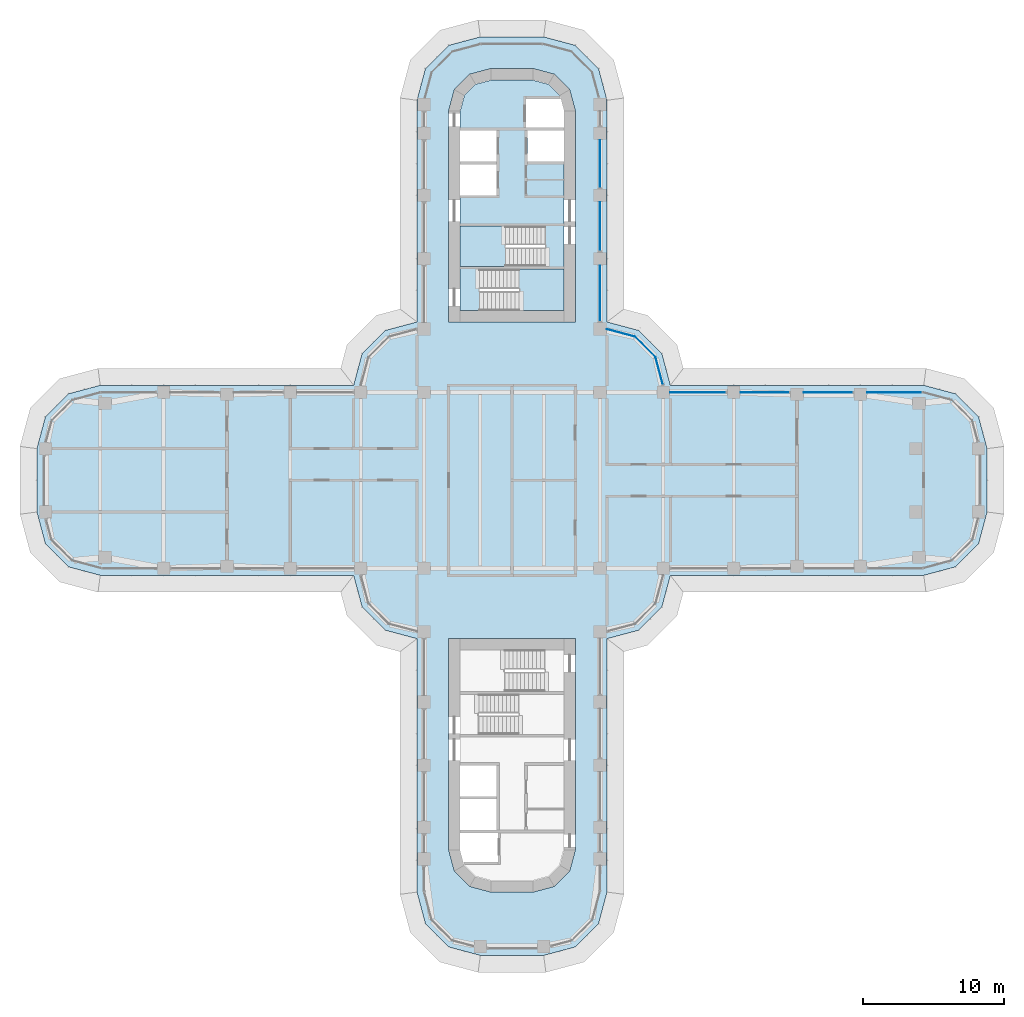
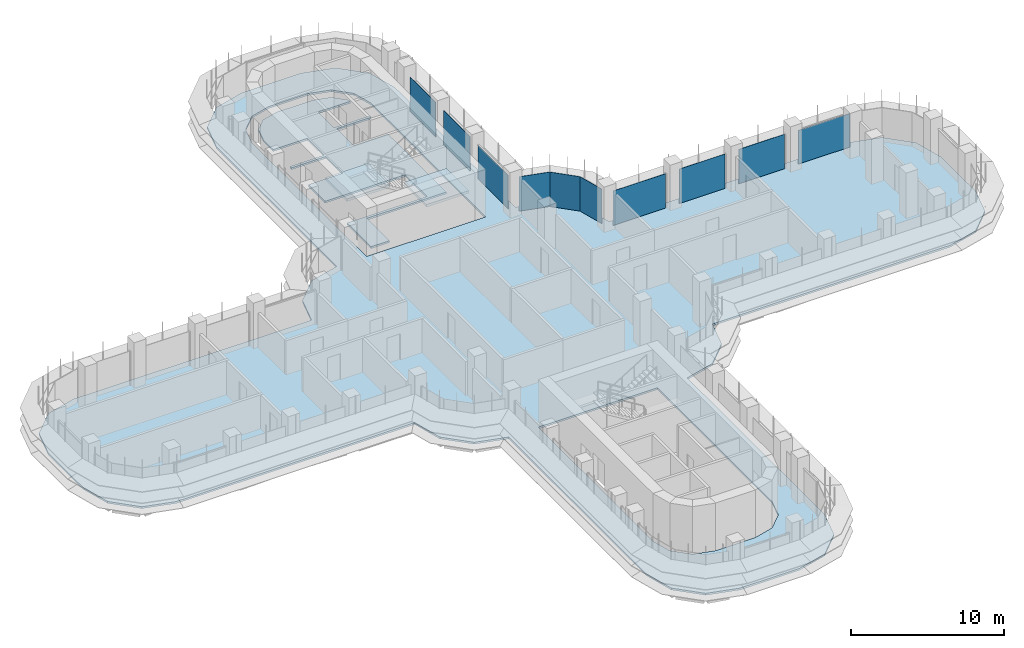
# One storey, part 14 of 22: 10 plates, 4 slabs, 7 elements without a shape of their own.
"""IFC4 building model written with IfcOpenShell, lengths in metres."""

from ifc_helpers import new_model, si_unit, direction, frame, origin, place, context, subcontext, project, spatial, polyline, outline, extrude, source, transform, mapped, material, layer, layer_set, type_object, element, aggregate, save


model = new_model("IFC4")

# Units and contexts
model_context = context("Model", 3, precision=1e-05, world=origin(), true_north=direction((0.0, 1.0)))
body_context = subcontext(model_context, "Body", "Model", "MODEL_VIEW")
ifc_project = project(units=[si_unit("LENGTHUNIT", "METRE"), si_unit("AREAUNIT", "SQUARE_METRE"), si_unit("VOLUMEUNIT", "CUBIC_METRE"), si_unit("PLANEANGLEUNIT", "RADIAN"), si_unit("MASSUNIT", "GRAM", prefix="KILO")], contexts=[model_context])

# Site, building, storey
site_placement = place(None, origin())
site = spatial("IfcSite", under=ifc_project, at=site_placement, CompositionType="ELEMENT")
building_placement = place(site_placement, origin())
building = spatial("IfcBuilding", under=site, at=building_placement, Name="Zarbagh Exchange Tower", CompositionType="ELEMENT")
storey_placement = place(building_placement, frame((0.0, 0.0, 101.800048828125)))
storey = spatial("IfcBuildingStorey", under=building, at=storey_placement, Name="L23", CompositionType="ELEMENT", Elevation=101.800048828125)

# Slabs
ifc_material_1 = material(Name="Concrete C40/50", Category="concrete")
ifc_layer_1 = layer(ifc_material_1, 0.14990234375)
ifc_layer_set_1 = layer_set([ifc_layer_1], Name="Composite floor slab 150 C40/50")
slab_type_1 = type_object("IfcSlabType", Name="Composite floor slab 150 C40/50", PredefinedType="FLOOR", material=ifc_layer_set_1)
slab_1_placement = place(storey_placement, frame((0.0, 0.0, -0.150146484375)))
element("IfcSlab", 1, at=slab_1_placement, inside=storey, type_object=slab_type_1, Name="S5 composite floor slab", PredefinedType="FLOOR", context=body_context, shape_type="SweptSolid", body=[
    extrude(outline(polyline([(-2.25, -33.75), (-4.5, -33.147216796875), (-6.147216796875, -31.5), (-6.75, -29.25), (-6.75, -11.25), (-9.0, -10.647216796875), (-10.647216796875, -9.0), (-11.25, -6.75), (-29.25, -6.75), (-31.5, -6.147216796875), (-33.147216796875, -4.5), (-33.75, -2.25), (-33.75, 2.25), (-33.147216796875, 4.5), (-31.5, 6.147216796875), (-29.25, 6.75), (-11.25, 6.75), (-10.647216796875, 9.0), (-9.0, 10.647216796875), (-6.75, 11.25), (-6.75, 27.0), (-6.147216796875, 29.25), (-4.5, 30.897216796875), (-2.25, 31.5), (2.25, 31.5), (4.5, 30.897216796875), (6.147216796875, 29.25), (6.75, 27.0), (6.75, 11.25), (9.0, 10.647216796875), (10.647216796875, 9.0), (11.25, 6.75), (29.25, 6.75), (31.5, 6.147216796875), (33.147216796875, 4.5), (33.75, 2.25), (33.75, -2.25), (33.147216796875, -4.5), (31.5, -6.147216796875), (29.25, -6.75), (11.25, -6.75), (10.647216796875, -9.0), (9.0, -10.647216796875), (6.75, -11.25), (6.75, -29.25), (6.147216796875, -31.5), (4.5, -33.147216796875), (2.25, -33.75), (-2.25, -33.75)]), holes=[polyline([(4.5, 11.25), (4.5, 26.25), (4.09814453125, 27.75), (3.0, 28.84814453125), (1.5, 29.25), (-1.5, 29.25), (-3.0, 28.84814453125), (-4.09814453125, 27.75), (-4.5, 26.25), (-4.5, 11.25), (4.5, 11.25)]), polyline([(-1.5, -29.25), (1.5, -29.25), (3.0, -28.84814453125), (4.09814453125, -27.75), (4.5, -26.25), (4.5, -11.25), (-4.5, -11.25), (-4.5, -26.25), (-4.09814453125, -27.75), (-3.0, -28.84814453125), (-1.5, -29.25)])]), origin(), (0.0, 0.0, 1.0), 0.150146484375),
])
ifc_layer_2 = layer(ifc_material_1, 0.14990234375)
ifc_layer_set_2 = layer_set([ifc_layer_2], Name="Core floor slab 150 C40/50")
slab_type_2 = type_object("IfcSlabType", Name="Core floor slab 150 C40/50", PredefinedType="FLOOR", material=ifc_layer_set_2)
slab_2_placement = place(storey_placement, frame((0.0, 0.0, -0.150146484375)))
element("IfcSlab", 2, at=slab_2_placement, inside=storey, type_object=slab_type_2, Name="S17 core N", PredefinedType="FLOOR", context=body_context, shape_type="SweptSolid", body=[
    extrude(outline(polyline([(-3.699951171875, 12.050048828125), (-3.699951171875, 15.199951171875), (2.35009765625, 15.199951171875), (2.35009765625, 18.050048828125), (-3.699951171875, 18.050048828125), (-3.699951171875, 20.25), (-1.10009765625, 20.25), (-1.10009765625, 22.449951171875), (-3.699951171875, 22.449951171875), (-3.699951171875, 22.64990234375), (-1.10009765625, 22.64990234375), (-1.10009765625, 24.85009765625), (-3.699951171875, 24.85009765625), (-3.699951171875, 26.144775390625), (-3.380859375, 27.3359375), (-2.5859375, 28.130859375), (-1.394775390625, 28.449951171875), (1.394775390625, 28.449951171875), (2.5859375, 28.130859375), (3.380859375, 27.3359375), (3.646484375, 26.3447265625), (3.444091796875, 27.10009765625), (1.0, 27.10009765625), (1.0, 25.050048828125), (3.699951171875, 25.050048828125), (3.699951171875, 24.85009765625), (1.10009765625, 24.85009765625), (1.10009765625, 22.64990234375), (3.699951171875, 22.64990234375), (3.699951171875, 15.0), (-2.300048828125, 15.0), (-2.300048828125, 12.050048828125), (-3.699951171875, 12.050048828125)])), origin(), (0.0, 0.0, 1.0), 0.150146484375),
])

# Stair, slab
stair_type = type_object("IfcStairType", Name="Exit stair two-flight half-turn", PredefinedType="HALF_TURN_STAIR", material=ifc_material_1)
stair_1_placement = place(storey_placement, origin())
stair_1 = element("IfcStair", 3, at=stair_1_placement, inside=storey, type_object=stair_type, Name="exit stair ST1", PredefinedType="HALF_TURN_STAIR")
ifc_layer_3 = layer(ifc_material_1, 0.199951171875)
ifc_layer_set_3 = layer_set([ifc_layer_3], Name="Stair landing 200 mm")
slab_type_3 = type_object("IfcSlabType", Name="Stair landing 200 mm", PredefinedType="LANDING", material=ifc_layer_set_3)
slab_3_placement = place(storey_placement, frame((0.0, 0.0, 1.699951171875)))
slab_3 = element("IfcSlab", 4, at=slab_3_placement, type_object=slab_type_3, Name="ST1 landing 1", PredefinedType="LANDING", context=body_context, shape_type="SweptSolid", body=[
    extrude(outline(polyline([(-0.449951171875, 18.050048828125), (-3.699951171875, 18.050048828125), (-3.699951171875, 15.199951171875), (-0.449951171875, 15.199951171875), (-0.449951171875, 18.050048828125)])), origin(), (0.0, 0.0, 1.0), 0.199951171875),
])
aggregate(stair_1, [slab_3])

stair_2_placement = place(storey_placement, origin())
stair_2 = element("IfcStair", 5, at=stair_2_placement, inside=storey, type_object=stair_type, Name="exit stair ST2", PredefinedType="HALF_TURN_STAIR")
slab_4_placement = place(storey_placement, frame((0.0, 0.0, 1.699951171875)))
slab_4 = element("IfcSlab", 6, at=slab_4_placement, type_object=slab_type_3, Name="ST2 landing 1", PredefinedType="LANDING", context=body_context, shape_type="SweptSolid", body=[
    extrude(outline(polyline([(0.5, 12.050048828125), (3.699951171875, 12.050048828125), (3.699951171875, 15.0), (0.5, 15.0), (0.5, 12.050048828125)])), origin(), (0.0, 0.0, 1.0), 0.199951171875),
])
aggregate(stair_2, [slab_4])

# Curtain wall, plate
ifc_material_2 = material(Name="Anodised aluminium frame and glazing", Category="aluminium")
curtain_wall_type = type_object("IfcCurtainWallType", Name="CWA Ribbon glazing, lower zones", PredefinedType="NOTDEFINED", material=ifc_material_2)
curtain_wall_1_placement = place(storey_placement, origin())
curtain_wall_1 = element("IfcCurtainWall", 7, at=curtain_wall_1_placement, inside=storey, type_object=curtain_wall_type, Name="CWA18 curtain wall", PredefinedType="NOTDEFINED")
ifc_material_3 = material(Name="Low-e double glazed unit, 6+12+6 mm")
ifc_layer_4 = layer(ifc_material_3, 0.028076171875)
ifc_layer_set_4 = layer_set([ifc_layer_4], Name="PAA Glazing panel, Low-e double glazed unit, 6+12+6 mm")
plate_type = type_object("IfcPlateType", Name="PAA Glazing panel, Low-e double glazed unit, 6+12+6 mm", PredefinedType="CURTAIN_PANEL", material=ifc_layer_set_4)
shared_shape_1 = source(origin(), body_context, "Body", "SweptSolid", [
    extrude(outline(polyline([(0.0, -0.013916015625), (2.061279296875, -0.013916015625), (2.061279296875, 0.013916015625), (0.0, 0.013916015625), (0.0, -0.013916015625)])), origin(), (0.0, 0.0, 1.0), 2.75),
])
placement = place(storey_placement, origin())
plate_1 = element("IfcPlate", 8, at=placement, type_object=plate_type, Name="CWA18 glazing panel 1.1", PredefinedType="CURTAIN_PANEL", context=body_context, shape_type="MappedRepresentation", body=[
    mapped(shared_shape_1, transform((10.19873046875, 8.7412109375, 0.0), x_axis=(-0.707106781187, 0.707106781187, 0.0), y_axis=(-0.707106781187, -0.707106781187, 0.0), z_axis=(0.0, 0.0, 1.0))),
])
aggregate(curtain_wall_1, [plate_1])

curtain_wall_2_placement = place(storey_placement, origin())
curtain_wall_2 = element("IfcCurtainWall", 9, at=curtain_wall_2_placement, inside=storey, type_object=curtain_wall_type, Name="CWA49 curtain wall", PredefinedType="NOTDEFINED")
shared_shape_2 = source(origin(), body_context, "Body", "SweptSolid", [
    extrude(outline(polyline([(0.0, -0.013916015625), (3.360107421875, -0.013916015625), (3.360107421875, 0.013916015625), (0.0, 0.013916015625), (0.0, -0.013916015625)])), origin(), (0.0, 0.0, 1.0), 2.75),
])
plate_2 = element("IfcPlate", 10, at=placement, type_object=plate_type, Name="CWA49 glazing panel 3.1", PredefinedType="CURTAIN_PANEL", context=body_context, shape_type="MappedRepresentation", body=[
    mapped(shared_shape_2, transform((6.25, 20.800048828125, 0.0), x_axis=(0.0, 1.0, 0.0), y_axis=(-1.0, 0.0, 0.0), z_axis=(0.0, 0.0, 1.0))),
])

# Curtain wall, plates
curtain_wall_3_placement = place(storey_placement, origin())
curtain_wall_3 = element("IfcCurtainWall", 11, at=curtain_wall_3_placement, inside=storey, type_object=curtain_wall_type, Name="CWA16 curtain wall", PredefinedType="NOTDEFINED")
shared_shape_3 = source(origin(), body_context, "Body", "SweptSolid", [
    extrude(outline(polyline([(0.0, -0.013916015625), (3.4599609375, -0.013916015625), (3.4599609375, 0.013916015625), (0.0, 0.013916015625), (0.0, -0.013916015625)])), origin(), (0.0, 0.0, 1.0), 2.75),
])
plate_3 = element("IfcPlate", 12, at=placement, type_object=plate_type, Name="CWA16 glazing panel 2.1", PredefinedType="CURTAIN_PANEL", context=body_context, shape_type="MappedRepresentation", body=[
    mapped(shared_shape_3, transform((24.199951171875, 6.25, 0.0), x_axis=(-1.0, 0.0, 0.0), y_axis=(0.0, -1.0, 0.0), z_axis=(0.0, 0.0, 1.0))),
])
plate_4 = element("IfcPlate", 13, at=placement, type_object=plate_type, Name="CWA16 glazing panel 3.1", PredefinedType="CURTAIN_PANEL", context=body_context, shape_type="MappedRepresentation", body=[
    mapped(shared_shape_3, transform((19.699951171875, 6.25, 0.0), x_axis=(-1.0, 0.0, 0.0), y_axis=(0.0, -1.0, 0.0), z_axis=(0.0, 0.0, 1.0))),
])

# Plate
plate_5 = element("IfcPlate", 14, at=placement, type_object=plate_type, Name="CWA49 glazing panel 2.1", PredefinedType="CURTAIN_PANEL", context=body_context, shape_type="MappedRepresentation", body=[
    mapped(shared_shape_3, transform((6.25, 16.300048828125, 0.0), x_axis=(0.0, 1.0, 0.0), y_axis=(-1.0, 0.0, 0.0), z_axis=(0.0, 0.0, 1.0))),
])

shared_shape_4 = source(origin(), body_context, "Body", "SweptSolid", [
    extrude(outline(polyline([(0.0, -0.013916015625), (3.9599609375, -0.013916015625), (3.9599609375, 0.013916015625), (0.0, 0.013916015625), (0.0, -0.013916015625)])), origin(), (0.0, 0.0, 1.0), 2.75),
])
plate_6 = element("IfcPlate", 15, at=placement, type_object=plate_type, Name="CWA16 glazing panel 4.1", PredefinedType="CURTAIN_PANEL", context=body_context, shape_type="MappedRepresentation", body=[
    mapped(shared_shape_4, transform((15.199951171875, 6.25, 0.0), x_axis=(-1.0, 0.0, 0.0), y_axis=(0.0, -1.0, 0.0), z_axis=(0.0, 0.0, 1.0))),
])

# Curtain wall, plate
curtain_wall_4_placement = place(storey_placement, origin())
curtain_wall_4 = element("IfcCurtainWall", 16, at=curtain_wall_4_placement, inside=storey, type_object=curtain_wall_type, Name="CWA17 curtain wall", PredefinedType="NOTDEFINED")
shared_shape_5 = source(origin(), body_context, "Body", "SweptSolid", [
    extrude(outline(polyline([(0.0, -0.013916015625), (2.01171875, -0.013916015625), (2.01171875, 0.013916015625), (0.0, 0.013916015625), (0.0, -0.013916015625)])), origin(), (0.0, 0.0, 1.0), 2.75),
])
plate_7 = element("IfcPlate", 17, at=placement, type_object=plate_type, Name="CWA17 glazing panel 1.1", PredefinedType="CURTAIN_PANEL", context=body_context, shape_type="MappedRepresentation", body=[
    mapped(shared_shape_5, transform((10.719482421875, 6.7978515625, 0.0), x_axis=(-0.258824779902, 0.965924289636, 0.0), y_axis=(-0.965924289636, -0.258824779902, 0.0), z_axis=(0.0, 0.0, 1.0))),
])
aggregate(curtain_wall_4, [plate_7])

curtain_wall_5_placement = place(storey_placement, origin())
curtain_wall_5 = element("IfcCurtainWall", 18, at=curtain_wall_5_placement, inside=storey, type_object=curtain_wall_type, Name="CWA19 curtain wall", PredefinedType="NOTDEFINED")
shared_shape_6 = source(origin(), body_context, "Body", "SweptSolid", [
    extrude(outline(polyline([(0.0, -0.013916015625), (2.07177734375, -0.013916015625), (2.07177734375, 0.013916015625), (0.0, 0.013916015625), (0.0, -0.013916015625)])), origin(), (0.0, 0.0, 1.0), 2.75),
])
plate_8 = element("IfcPlate", 19, at=placement, type_object=plate_type, Name="CWA19 glazing panel 1.1", PredefinedType="CURTAIN_PANEL", context=body_context, shape_type="MappedRepresentation", body=[
    mapped(shared_shape_6, transform((8.7412109375, 10.19873046875, 0.0), x_axis=(-0.965924289636, 0.258824779902, 0.0), y_axis=(-0.258824779902, -0.965924289636, 0.0), z_axis=(0.0, 0.0, 1.0))),
])
aggregate(curtain_wall_5, [plate_8])

# Plate
shared_shape_7 = source(origin(), body_context, "Body", "SweptSolid", [
    extrude(outline(polyline([(0.0, -0.013916015625), (3.9599609375, -0.013916015625), (3.9599609375, 0.013916015625), (0.0, 0.013916015625), (0.0, -0.013916015625)])), origin(), (0.0, 0.0, 1.0), 2.68994140625),
])
plate_9 = element("IfcPlate", 20, at=placement, type_object=plate_type, Name="CWA49 glazing panel 1.1", PredefinedType="CURTAIN_PANEL", context=body_context, shape_type="MappedRepresentation", body=[
    mapped(shared_shape_7, transform((6.25, 11.300048828125, 0.0), x_axis=(0.0, 1.0, 0.0), y_axis=(-1.0, 0.0, 0.0), z_axis=(0.0, 0.0, 1.0))),
])

aggregate(curtain_wall_2, [plate_9, plate_5, plate_2])

shared_shape_8 = source(origin(), body_context, "Body", "SweptSolid", [
    extrude(outline(polyline([(0.0, -0.013916015625), (3.88427734375, -0.013916015625), (3.88427734375, 0.013916015625), (0.0, 0.013916015625), (0.0, -0.013916015625)])), origin(), (0.0, 0.0, 1.0), 2.68994140625),
])
plate_10 = element("IfcPlate", 21, at=placement, type_object=plate_type, Name="CWA16 glazing panel 1.1", PredefinedType="CURTAIN_PANEL", context=body_context, shape_type="MappedRepresentation", body=[
    mapped(shared_shape_8, transform((29.124267578125, 6.25, 0.0), x_axis=(-1.0, 0.0, 0.0), y_axis=(0.0, -1.0, 0.0), z_axis=(0.0, 0.0, 1.0))),
])

aggregate(curtain_wall_3, [plate_10, plate_3, plate_4, plate_6])

save(model, "model.ifc")
